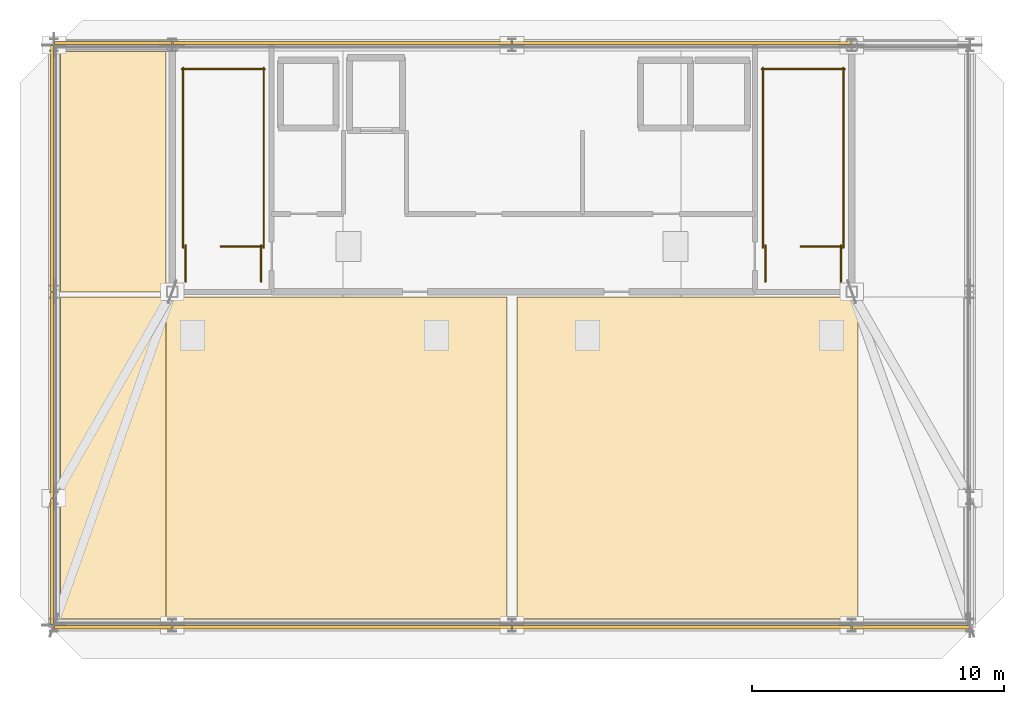
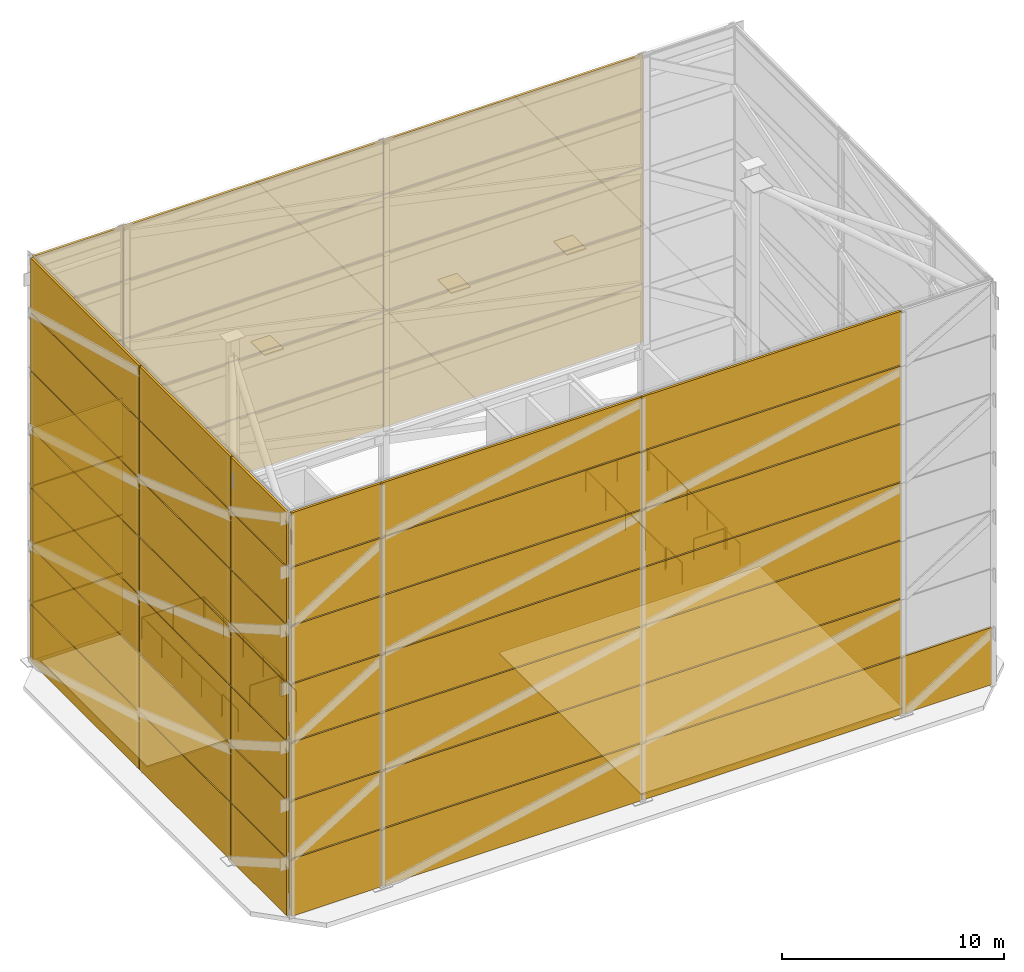
# One storey, part 7 of 8: 60 shading devices, 12 railings, 4 coverings.
"""IFC4 building model written with IfcOpenShell, lengths in metres."""

from ifc_helpers import new_model, si_unit, direction, frame, origin, origin_2d, place, context, subcontext, project, spatial, polyline, rectangle, outline, extrude, material, layer, layer_set, type_object, element, save


model = new_model("IFC4")

# Units and contexts
model_context = context("Model", 3, precision=1e-05, world=origin(), true_north=direction((0.0, 1.0)))
body_context = subcontext(model_context, "Body", "Model", "MODEL_VIEW")
ifc_project = project(units=[si_unit("LENGTHUNIT", "METRE"), si_unit("AREAUNIT", "SQUARE_METRE"), si_unit("VOLUMEUNIT", "CUBIC_METRE"), si_unit("PLANEANGLEUNIT", "RADIAN"), si_unit("MASSUNIT", "GRAM", prefix="KILO")], contexts=[model_context])

# Site, building, storey
site_placement = place(None, origin())
site = spatial("IfcSite", under=ifc_project, at=site_placement, CompositionType="ELEMENT")
building_placement = place(site_placement, origin())
building = spatial("IfcBuilding", under=site, at=building_placement, Name="Haevon Station Towers", CompositionType="ELEMENT")
storey_placement = place(building_placement, frame((0.0, 0.0, 270.0)))
storey = spatial("IfcBuildingStorey", under=building, at=storey_placement, Name="Roof", CompositionType="ELEMENT", Elevation=270.0)

# Coverings
ifc_material_1 = material(Name="SBS modified bitumen roofing", Category="concrete")
ifc_layer_1 = layer(ifc_material_1, 0.080078125)
ifc_layer_set_1 = layer_set([ifc_layer_1], Name="SBS modified bitumen roofing")
covering_type = type_object("IfcCoveringType", Name="COV-ROOF80", PredefinedType="ROOFING", material=ifc_layer_set_1)
covering_1_placement = place(storey_placement, origin())
element("IfcCovering", 1, at=covering_1_placement, inside=storey, type_object=covering_type, Name="Roof Waterproofing Membrane 01", PredefinedType="ROOFING", context=body_context, shape_type="SweptSolid", body=[
    extrude(outline(polyline([(19.550048828125, 25.199951171875), (23.75, 25.199951171875), (23.75, 38.0), (19.550048828125, 38.0), (19.550048828125, 25.199951171875)])), origin(), (0.0, 0.0, 1.0), 0.080078125),
])
covering_2_placement = place(storey_placement, origin())
element("IfcCovering", 2, at=covering_2_placement, inside=storey, type_object=covering_type, Name="Roof Waterproofing Membrane 02", PredefinedType="ROOFING", context=body_context, shape_type="SweptSolid", body=[
    extrude(outline(polyline([(23.75, 25.199951171875), (37.300048828125, 25.199951171875), (37.300048828125, 38.0), (23.75, 38.0), (23.75, 25.199951171875)])), origin(), (0.0, 0.0, 1.0), 0.080078125),
])
covering_3_placement = place(storey_placement, origin())
element("IfcCovering", 3, at=covering_3_placement, inside=storey, type_object=covering_type, Name="Roof Waterproofing Membrane 03", PredefinedType="ROOFING", context=body_context, shape_type="SweptSolid", body=[
    extrude(outline(polyline([(37.699951171875, 25.199951171875), (51.25, 25.199951171875), (51.25, 38.0), (37.699951171875, 38.0), (37.699951171875, 25.199951171875)])), origin(), (0.0, 0.0, 1.0), 0.080078125),
])
covering_4_placement = place(storey_placement, origin())
element("IfcCovering", 4, at=covering_4_placement, inside=storey, type_object=covering_type, Name="Roof Waterproofing Membrane 05", PredefinedType="ROOFING", context=body_context, shape_type="SweptSolid", body=[
    extrude(outline(polyline([(19.550048828125, 38.199951171875), (23.75, 38.199951171875), (23.75, 47.75), (19.550048828125, 47.75), (19.550048828125, 38.199951171875)])), origin(), (0.0, 0.0, 1.0), 0.080078125),
])

# Railings
ifc_material_2 = material(Name="Steel S355", Category="steel")
railing_type = type_object("IfcRailingType", Name="GRD-STR1200", PredefinedType="GUARDRAIL", material=ifc_material_2)
railing_1_placement = place(storey_placement, frame((27.580078125, 40.0, 0.0)))
element("IfcRailing", 5, at=railing_1_placement, inside=storey, type_object=railing_type, Name="Roof ST1 Top Well Guard 1", PredefinedType="GUARDRAIL", context=body_context, shape_type="SweptSolid", body=[
    extrude(rectangle(XDim=0.048095703125, YDim=0.048095703125, at=origin_2d()), frame((0.0, 0.0, 1.17578125), z_axis=(-1.0, 0.0, 0.0), x_axis=(0.0, -1.0, 0.0)), (0.0, 0.0, 1.0), 1.650146484375),
    extrude(rectangle(XDim=0.0419921875, YDim=0.0419921875, at=origin_2d()), origin(), (0.0, 0.0, 1.0), 1.15185546875),
    extrude(rectangle(XDim=0.0419921875, YDim=0.0419921875, at=origin_2d()), frame((-1.650146484375, 0.0, 0.0)), (0.0, 0.0, 1.0), 1.15185546875),
])
for number, where, name in (
    (6, (27.6298828125, 39.949951171875, 0.0), "Roof ST1 Top Well Guard 2"),
    (7, (24.429931640625, 39.949951171875, 0.0), "Roof ST1 Top Well Guard 3"),
):
    element("IfcRailing", number, at=place(storey_placement, frame(where)), inside=storey, type_object=railing_type, Name=name, PredefinedType="GUARDRAIL", context=body_context, shape_type="SweptSolid", body=[
        extrude(rectangle(XDim=0.048095703125, YDim=0.048095703125, at=origin_2d()), frame((0.0, 0.0, 1.17578125), z_axis=(0.0, 1.0, 0.0), x_axis=(-1.0, 0.0, 0.0)), (0.0, 0.0, 1.0), 7.150146484375),
        extrude(rectangle(XDim=0.0419921875, YDim=0.0419921875, at=origin_2d()), origin(), (0.0, 0.0, 1.0), 1.15185546875),
        extrude(rectangle(XDim=0.0419921875, YDim=0.0419921875, at=origin_2d()), frame((0.0, 1.78759765625, 0.0)), (0.0, 0.0, 1.0), 1.15185546875),
        extrude(rectangle(XDim=0.0419921875, YDim=0.0419921875, at=origin_2d()), frame((0.0, 3.5751953125, 0.0)), (0.0, 0.0, 1.0), 1.15185546875),
        extrude(rectangle(XDim=0.0419921875, YDim=0.0419921875, at=origin_2d()), frame((0.0, 5.362548828125, 0.0)), (0.0, 0.0, 1.0), 1.15185546875),
        extrude(rectangle(XDim=0.0419921875, YDim=0.0419921875, at=origin_2d()), frame((0.0, 7.150146484375, 0.0)), (0.0, 0.0, 1.0), 1.15185546875),
    ])
railing_2_placement = place(storey_placement, frame((27.679931640625, 47.050048828125, 0.0)))
element("IfcRailing", 8, at=railing_2_placement, inside=storey, type_object=railing_type, Name="Roof ST1 Top Well Guard 4", PredefinedType="GUARDRAIL", context=body_context, shape_type="SweptSolid", body=[
    extrude(rectangle(XDim=0.048095703125, YDim=0.048095703125, at=origin_2d()), frame((0.0, 0.0, 1.17578125), z_axis=(-1.0, 0.0, 0.0), x_axis=(0.0, -1.0, 0.0)), (0.0, 0.0, 1.0), 3.300048828125),
    extrude(rectangle(XDim=0.0419921875, YDim=0.0419921875, at=origin_2d()), origin(), (0.0, 0.0, 1.0), 1.15185546875),
    extrude(rectangle(XDim=0.0419921875, YDim=0.0419921875, at=origin_2d()), frame((-1.64990234375, 0.0, 0.0)), (0.0, 0.0, 1.0), 1.15185546875),
    extrude(rectangle(XDim=0.0419921875, YDim=0.0419921875, at=origin_2d()), frame((-3.300048828125, 0.0, 0.0)), (0.0, 0.0, 1.0), 1.15185546875),
])
for number, where, name in (
    (9, (27.530029296875, 38.60009765625, 0.0), "Roof ST1 Top Well Guard 5"),
    (10, (24.530029296875, 38.60009765625, 0.0), "Roof ST1 Top Well Guard 6"),
):
    element("IfcRailing", number, at=place(storey_placement, frame(where)), inside=storey, type_object=railing_type, Name=name, PredefinedType="GUARDRAIL", context=body_context, shape_type="SweptSolid", body=[
        extrude(rectangle(XDim=0.048095703125, YDim=0.048095703125, at=origin_2d()), frame((0.0, 0.0, 1.17578125), z_axis=(0.0, 1.0, 0.0), x_axis=(-1.0, 0.0, 0.0)), (0.0, 0.0, 1.0), 1.449951171875),
        extrude(rectangle(XDim=0.0419921875, YDim=0.0419921875, at=origin_2d()), origin(), (0.0, 0.0, 1.0), 1.15185546875),
        extrude(rectangle(XDim=0.0419921875, YDim=0.0419921875, at=origin_2d()), frame((0.0, 1.449951171875, 0.0)), (0.0, 0.0, 1.0), 1.15185546875),
    ])
railing_3_placement = place(storey_placement, frame((50.6201171875, 40.0, 0.0)))
element("IfcRailing", 11, at=railing_3_placement, inside=storey, type_object=railing_type, Name="Roof ST2 Top Well Guard 1", PredefinedType="GUARDRAIL", context=body_context, shape_type="SweptSolid", body=[
    extrude(rectangle(XDim=0.048095703125, YDim=0.048095703125, at=origin_2d()), frame((0.0, 0.0, 1.17578125), z_axis=(-1.0, 0.0, 0.0), x_axis=(0.0, -1.0, 0.0)), (0.0, 0.0, 1.0), 1.650146484375),
    extrude(rectangle(XDim=0.0419921875, YDim=0.0419921875, at=origin_2d()), origin(), (0.0, 0.0, 1.0), 1.15185546875),
    extrude(rectangle(XDim=0.0419921875, YDim=0.0419921875, at=origin_2d()), frame((-1.650146484375, 0.0, 0.0)), (0.0, 0.0, 1.0), 1.15185546875),
])
for number, where, name in (
    (12, (50.669921875, 39.949951171875, 0.0), "Roof ST2 Top Well Guard 2"),
    (13, (47.469970703125, 39.949951171875, 0.0), "Roof ST2 Top Well Guard 3"),
):
    element("IfcRailing", number, at=place(storey_placement, frame(where)), inside=storey, type_object=railing_type, Name=name, PredefinedType="GUARDRAIL", context=body_context, shape_type="SweptSolid", body=[
        extrude(rectangle(XDim=0.048095703125, YDim=0.048095703125, at=origin_2d()), frame((0.0, 0.0, 1.17578125), z_axis=(0.0, 1.0, 0.0), x_axis=(-1.0, 0.0, 0.0)), (0.0, 0.0, 1.0), 7.150146484375),
        extrude(rectangle(XDim=0.0419921875, YDim=0.0419921875, at=origin_2d()), origin(), (0.0, 0.0, 1.0), 1.15185546875),
        extrude(rectangle(XDim=0.0419921875, YDim=0.0419921875, at=origin_2d()), frame((0.0, 1.78759765625, 0.0)), (0.0, 0.0, 1.0), 1.15185546875),
        extrude(rectangle(XDim=0.0419921875, YDim=0.0419921875, at=origin_2d()), frame((0.0, 3.5751953125, 0.0)), (0.0, 0.0, 1.0), 1.15185546875),
        extrude(rectangle(XDim=0.0419921875, YDim=0.0419921875, at=origin_2d()), frame((0.0, 5.362548828125, 0.0)), (0.0, 0.0, 1.0), 1.15185546875),
        extrude(rectangle(XDim=0.0419921875, YDim=0.0419921875, at=origin_2d()), frame((0.0, 7.150146484375, 0.0)), (0.0, 0.0, 1.0), 1.15185546875),
    ])
railing_4_placement = place(storey_placement, frame((50.719970703125, 47.050048828125, 0.0)))
element("IfcRailing", 14, at=railing_4_placement, inside=storey, type_object=railing_type, Name="Roof ST2 Top Well Guard 4", PredefinedType="GUARDRAIL", context=body_context, shape_type="SweptSolid", body=[
    extrude(rectangle(XDim=0.048095703125, YDim=0.048095703125, at=origin_2d()), frame((0.0, 0.0, 1.17578125), z_axis=(-1.0, 0.0, 0.0), x_axis=(0.0, -1.0, 0.0)), (0.0, 0.0, 1.0), 3.300048828125),
    extrude(rectangle(XDim=0.0419921875, YDim=0.0419921875, at=origin_2d()), origin(), (0.0, 0.0, 1.0), 1.15185546875),
    extrude(rectangle(XDim=0.0419921875, YDim=0.0419921875, at=origin_2d()), frame((-1.64990234375, 0.0, 0.0)), (0.0, 0.0, 1.0), 1.15185546875),
    extrude(rectangle(XDim=0.0419921875, YDim=0.0419921875, at=origin_2d()), frame((-3.300048828125, 0.0, 0.0)), (0.0, 0.0, 1.0), 1.15185546875),
])
for number, where, name in (
    (15, (50.570068359375, 38.60009765625, 0.0), "Roof ST2 Top Well Guard 5"),
    (16, (47.570068359375, 38.60009765625, 0.0), "Roof ST2 Top Well Guard 6"),
):
    element("IfcRailing", number, at=place(storey_placement, frame(where)), inside=storey, type_object=railing_type, Name=name, PredefinedType="GUARDRAIL", context=body_context, shape_type="SweptSolid", body=[
        extrude(rectangle(XDim=0.048095703125, YDim=0.048095703125, at=origin_2d()), frame((0.0, 0.0, 1.17578125), z_axis=(0.0, 1.0, 0.0), x_axis=(-1.0, 0.0, 0.0)), (0.0, 0.0, 1.0), 1.449951171875),
        extrude(rectangle(XDim=0.0419921875, YDim=0.0419921875, at=origin_2d()), origin(), (0.0, 0.0, 1.0), 1.15185546875),
        extrude(rectangle(XDim=0.0419921875, YDim=0.0419921875, at=origin_2d()), frame((0.0, 1.449951171875, 0.0)), (0.0, 0.0, 1.0), 1.15185546875),
    ])

# Shading devices
ifc_material_3 = material(Name="Anodised aluminium 6063-T6", Category="aluminium")
ifc_layer_2 = layer(ifc_material_3, 0.1201171875)
ifc_layer_set_2 = layer_set([ifc_layer_2], Name="Anodised aluminium 6063-T6")
shading_device_type = type_object("IfcShadingDeviceType", Name="SHD-CRN-LOUVRE", PredefinedType="JALOUSIE", material=ifc_layer_set_2)
shading_device_1_placement = place(storey_placement, frame((21.64990234375, 24.8701171875, 0.0302734375), z_axis=(0.0, 0.0, 1.0), x_axis=(1.0, 0.0, 0.0)))
element("IfcShadingDevice", 17, at=shading_device_1_placement, inside=storey, type_object=shading_device_type, Name="Crown Acoustic Louvre Screen T1-01", PredefinedType="JALOUSIE", context=body_context, shape_type="SweptSolid", body=[
    extrude(rectangle(XDim=4.659912109375, YDim=0.1201171875, at=origin_2d()), origin(), (0.0, 0.0, 1.0), 3.139892578125),
])
for number, where, z_axis, x_axis, name in (
    (18, (30.75, 24.8701171875, 0.0302734375), (0.0, 0.0, 1.0), (1.0, 0.0, 0.0), "Crown Acoustic Louvre Screen T1-02"),
    (19, (44.25, 24.8701171875, 0.0302734375), (0.0, 0.0, 1.0), (1.0, 0.0, 0.0), "Crown Acoustic Louvre Screen T1-03"),
):
    element("IfcShadingDevice", number, at=place(storey_placement, frame(where, z_axis=z_axis, x_axis=x_axis)), inside=storey, type_object=shading_device_type, Name=name, PredefinedType="JALOUSIE", context=body_context, shape_type="SweptSolid", body=[
        extrude(rectangle(XDim=13.4599609375, YDim=0.1201171875, at=origin_2d()), origin(), (0.0, 0.0, 1.0), 3.139892578125),
    ])
for number, where, z_axis, x_axis, name in (
    (20, (53.35009765625, 24.8701171875, 0.0302734375), (0.0, 0.0, 1.0), (1.0, 0.0, 0.0), "Crown Acoustic Louvre Screen T1-04"),
    (21, (21.64990234375, 48.080078125, 0.0302734375), (0.0, 0.0, 1.0), (-1.0, 0.0, 0.0), "Crown Acoustic Louvre Screen T1-11"),
):
    element("IfcShadingDevice", number, at=place(storey_placement, frame(where, z_axis=z_axis, x_axis=x_axis)), inside=storey, type_object=shading_device_type, Name=name, PredefinedType="JALOUSIE", context=body_context, shape_type="SweptSolid", body=[
        extrude(rectangle(XDim=4.659912109375, YDim=0.1201171875, at=origin_2d()), origin(), (0.0, 0.0, 1.0), 3.139892578125),
    ])
shading_device_2_placement = place(storey_placement, frame((19.219970703125, 43.10009765625, 0.0302734375), z_axis=(0.0, 0.0, 1.0), x_axis=(0.0, -1.0, 0.0)))
element("IfcShadingDevice", 22, at=shading_device_2_placement, inside=storey, type_object=shading_device_type, Name="Crown Acoustic Louvre Screen T1-12", PredefinedType="JALOUSIE", context=body_context, shape_type="SweptSolid", body=[
    extrude(rectangle(XDim=9.760009765625, YDim=0.1201171875, at=origin_2d()), origin(), (0.0, 0.0, 1.0), 3.139892578125),
])
shading_device_3_placement = place(storey_placement, frame((19.219970703125, 34.10009765625, 0.0302734375), z_axis=(0.0, 0.0, 1.0), x_axis=(0.0, -1.0, 0.0)))
element("IfcShadingDevice", 23, at=shading_device_3_placement, inside=storey, type_object=shading_device_type, Name="Crown Acoustic Louvre Screen T1-13", PredefinedType="JALOUSIE", context=body_context, shape_type="SweptSolid", body=[
    extrude(rectangle(XDim=8.159912109375, YDim=0.1201171875, at=origin_2d()), origin(), (0.0, 0.0, 1.0), 3.139892578125),
])
shading_device_4_placement = place(storey_placement, frame((19.219970703125, 27.47509765625, 0.0302734375), z_axis=(0.0, 0.0, 1.0), x_axis=(0.0, -1.0, 0.0)))
element("IfcShadingDevice", 24, at=shading_device_4_placement, inside=storey, type_object=shading_device_type, Name="Crown Acoustic Louvre Screen T1-14", PredefinedType="JALOUSIE", context=body_context, shape_type="SweptSolid", body=[
    extrude(rectangle(XDim=5.010009765625, YDim=0.1201171875, at=origin_2d()), origin(), (0.0, 0.0, 1.0), 3.139892578125),
])
shading_device_5_placement = place(storey_placement, frame((21.64990234375, 24.8701171875, 3.22998046875), z_axis=(0.0, 0.0, 1.0), x_axis=(1.0, 0.0, 0.0)))
element("IfcShadingDevice", 25, at=shading_device_5_placement, inside=storey, type_object=shading_device_type, Name="Crown Acoustic Louvre Screen T2-01", PredefinedType="JALOUSIE", context=body_context, shape_type="SweptSolid", body=[
    extrude(rectangle(XDim=4.659912109375, YDim=0.1201171875, at=origin_2d()), origin(), (0.0, 0.0, 1.0), 3.139892578125),
])
for number, where, z_axis, x_axis, name in (
    (26, (30.75, 24.8701171875, 3.22998046875), (0.0, 0.0, 1.0), (1.0, 0.0, 0.0), "Crown Acoustic Louvre Screen T2-02"),
    (27, (44.25, 24.8701171875, 3.22998046875), (0.0, 0.0, 1.0), (1.0, 0.0, 0.0), "Crown Acoustic Louvre Screen T2-03"),
):
    element("IfcShadingDevice", number, at=place(storey_placement, frame(where, z_axis=z_axis, x_axis=x_axis)), inside=storey, type_object=shading_device_type, Name=name, PredefinedType="JALOUSIE", context=body_context, shape_type="SweptSolid", body=[
        extrude(rectangle(XDim=13.4599609375, YDim=0.1201171875, at=origin_2d()), origin(), (0.0, 0.0, 1.0), 3.139892578125),
    ])
shading_device_6_placement = place(storey_placement, frame((21.64990234375, 48.080078125, 3.22998046875), z_axis=(0.0, 0.0, 1.0), x_axis=(-1.0, 0.0, 0.0)))
element("IfcShadingDevice", 28, at=shading_device_6_placement, inside=storey, type_object=shading_device_type, Name="Crown Acoustic Louvre Screen T2-11", PredefinedType="JALOUSIE", context=body_context, shape_type="SweptSolid", body=[
    extrude(rectangle(XDim=4.659912109375, YDim=0.1201171875, at=origin_2d()), origin(), (0.0, 0.0, 1.0), 3.139892578125),
])
shading_device_7_placement = place(storey_placement, frame((19.219970703125, 43.10009765625, 3.22998046875), z_axis=(0.0, 0.0, 1.0), x_axis=(0.0, -1.0, 0.0)))
element("IfcShadingDevice", 29, at=shading_device_7_placement, inside=storey, type_object=shading_device_type, Name="Crown Acoustic Louvre Screen T2-12", PredefinedType="JALOUSIE", context=body_context, shape_type="SweptSolid", body=[
    extrude(rectangle(XDim=9.760009765625, YDim=0.1201171875, at=origin_2d()), origin(), (0.0, 0.0, 1.0), 3.139892578125),
])
shading_device_8_placement = place(storey_placement, frame((19.219970703125, 34.10009765625, 3.22998046875), z_axis=(0.0, 0.0, 1.0), x_axis=(0.0, -1.0, 0.0)))
element("IfcShadingDevice", 30, at=shading_device_8_placement, inside=storey, type_object=shading_device_type, Name="Crown Acoustic Louvre Screen T2-13", PredefinedType="JALOUSIE", context=body_context, shape_type="SweptSolid", body=[
    extrude(rectangle(XDim=8.159912109375, YDim=0.1201171875, at=origin_2d()), origin(), (0.0, 0.0, 1.0), 3.139892578125),
])
shading_device_9_placement = place(storey_placement, frame((19.219970703125, 27.47509765625, 3.22998046875), z_axis=(0.0, 0.0, 1.0), x_axis=(0.0, -1.0, 0.0)))
element("IfcShadingDevice", 31, at=shading_device_9_placement, inside=storey, type_object=shading_device_type, Name="Crown Acoustic Louvre Screen T2-14", PredefinedType="JALOUSIE", context=body_context, shape_type="SweptSolid", body=[
    extrude(rectangle(XDim=5.010009765625, YDim=0.1201171875, at=origin_2d()), origin(), (0.0, 0.0, 1.0), 3.139892578125),
])
shading_device_10_placement = place(storey_placement, frame((21.64990234375, 24.8701171875, 6.43017578125), z_axis=(0.0, 0.0, 1.0), x_axis=(1.0, 0.0, 0.0)))
element("IfcShadingDevice", 32, at=shading_device_10_placement, inside=storey, type_object=shading_device_type, Name="Crown Acoustic Louvre Screen T3-01", PredefinedType="JALOUSIE", context=body_context, shape_type="SweptSolid", body=[
    extrude(rectangle(XDim=4.659912109375, YDim=0.1201171875, at=origin_2d()), origin(), (0.0, 0.0, 1.0), 3.139892578125),
])
for number, where, z_axis, x_axis, name in (
    (33, (30.75, 24.8701171875, 6.43017578125), (0.0, 0.0, 1.0), (1.0, 0.0, 0.0), "Crown Acoustic Louvre Screen T3-02"),
    (34, (44.25, 24.8701171875, 6.43017578125), (0.0, 0.0, 1.0), (1.0, 0.0, 0.0), "Crown Acoustic Louvre Screen T3-03"),
    (35, (44.25, 48.080078125, 6.43017578125), (0.0, 0.0, 1.0), (-1.0, 0.0, 0.0), "Crown Acoustic Louvre Screen T3-09"),
    (36, (30.75, 48.080078125, 6.43017578125), (0.0, 0.0, 1.0), (-1.0, 0.0, 0.0), "Crown Acoustic Louvre Screen T3-10"),
):
    element("IfcShadingDevice", number, at=place(storey_placement, frame(where, z_axis=z_axis, x_axis=x_axis)), inside=storey, type_object=shading_device_type, Name=name, PredefinedType="JALOUSIE", context=body_context, shape_type="SweptSolid", body=[
        extrude(rectangle(XDim=13.4599609375, YDim=0.1201171875, at=origin_2d()), origin(), (0.0, 0.0, 1.0), 3.139892578125),
    ])
shading_device_11_placement = place(storey_placement, frame((21.64990234375, 48.080078125, 6.43017578125), z_axis=(0.0, 0.0, 1.0), x_axis=(-1.0, 0.0, 0.0)))
element("IfcShadingDevice", 37, at=shading_device_11_placement, inside=storey, type_object=shading_device_type, Name="Crown Acoustic Louvre Screen T3-11", PredefinedType="JALOUSIE", context=body_context, shape_type="SweptSolid", body=[
    extrude(rectangle(XDim=4.659912109375, YDim=0.1201171875, at=origin_2d()), origin(), (0.0, 0.0, 1.0), 3.139892578125),
])
shading_device_12_placement = place(storey_placement, frame((19.219970703125, 43.10009765625, 6.43017578125), z_axis=(0.0, 0.0, 1.0), x_axis=(0.0, -1.0, 0.0)))
element("IfcShadingDevice", 38, at=shading_device_12_placement, inside=storey, type_object=shading_device_type, Name="Crown Acoustic Louvre Screen T3-12", PredefinedType="JALOUSIE", context=body_context, shape_type="SweptSolid", body=[
    extrude(rectangle(XDim=9.760009765625, YDim=0.1201171875, at=origin_2d()), origin(), (0.0, 0.0, 1.0), 3.139892578125),
])
shading_device_13_placement = place(storey_placement, frame((19.219970703125, 34.10009765625, 6.43017578125), z_axis=(0.0, 0.0, 1.0), x_axis=(0.0, -1.0, 0.0)))
element("IfcShadingDevice", 39, at=shading_device_13_placement, inside=storey, type_object=shading_device_type, Name="Crown Acoustic Louvre Screen T3-13", PredefinedType="JALOUSIE", context=body_context, shape_type="SweptSolid", body=[
    extrude(rectangle(XDim=8.159912109375, YDim=0.1201171875, at=origin_2d()), origin(), (0.0, 0.0, 1.0), 3.139892578125),
])
shading_device_14_placement = place(storey_placement, frame((19.219970703125, 27.47509765625, 6.43017578125), z_axis=(0.0, 0.0, 1.0), x_axis=(0.0, -1.0, 0.0)))
element("IfcShadingDevice", 40, at=shading_device_14_placement, inside=storey, type_object=shading_device_type, Name="Crown Acoustic Louvre Screen T3-14", PredefinedType="JALOUSIE", context=body_context, shape_type="SweptSolid", body=[
    extrude(rectangle(XDim=5.010009765625, YDim=0.1201171875, at=origin_2d()), origin(), (0.0, 0.0, 1.0), 3.139892578125),
])
shading_device_15_placement = place(storey_placement, frame((21.64990234375, 24.8701171875, 9.6298828125), z_axis=(0.0, 0.0, 1.0), x_axis=(1.0, 0.0, 0.0)))
element("IfcShadingDevice", 41, at=shading_device_15_placement, inside=storey, type_object=shading_device_type, Name="Crown Acoustic Louvre Screen T4-01", PredefinedType="JALOUSIE", context=body_context, shape_type="SweptSolid", body=[
    extrude(rectangle(XDim=4.659912109375, YDim=0.1201171875, at=origin_2d()), origin(), (0.0, 0.0, 1.0), 3.139892578125),
])
for number, where, z_axis, x_axis, name in (
    (42, (30.75, 24.8701171875, 9.6298828125), (0.0, 0.0, 1.0), (1.0, 0.0, 0.0), "Crown Acoustic Louvre Screen T4-02"),
    (43, (44.25, 24.8701171875, 9.6298828125), (0.0, 0.0, 1.0), (1.0, 0.0, 0.0), "Crown Acoustic Louvre Screen T4-03"),
    (44, (44.25, 48.080078125, 9.6298828125), (0.0, 0.0, 1.0), (-1.0, 0.0, 0.0), "Crown Acoustic Louvre Screen T4-09"),
    (45, (30.75, 48.080078125, 9.6298828125), (0.0, 0.0, 1.0), (-1.0, 0.0, 0.0), "Crown Acoustic Louvre Screen T4-10"),
):
    element("IfcShadingDevice", number, at=place(storey_placement, frame(where, z_axis=z_axis, x_axis=x_axis)), inside=storey, type_object=shading_device_type, Name=name, PredefinedType="JALOUSIE", context=body_context, shape_type="SweptSolid", body=[
        extrude(rectangle(XDim=13.4599609375, YDim=0.1201171875, at=origin_2d()), origin(), (0.0, 0.0, 1.0), 3.139892578125),
    ])
shading_device_16_placement = place(storey_placement, frame((21.64990234375, 48.080078125, 9.6298828125), z_axis=(0.0, 0.0, 1.0), x_axis=(-1.0, 0.0, 0.0)))
element("IfcShadingDevice", 46, at=shading_device_16_placement, inside=storey, type_object=shading_device_type, Name="Crown Acoustic Louvre Screen T4-11", PredefinedType="JALOUSIE", context=body_context, shape_type="SweptSolid", body=[
    extrude(rectangle(XDim=4.659912109375, YDim=0.1201171875, at=origin_2d()), origin(), (0.0, 0.0, 1.0), 3.139892578125),
])
shading_device_17_placement = place(storey_placement, frame((19.219970703125, 43.10009765625, 9.6298828125), z_axis=(0.0, 0.0, 1.0), x_axis=(0.0, -1.0, 0.0)))
element("IfcShadingDevice", 47, at=shading_device_17_placement, inside=storey, type_object=shading_device_type, Name="Crown Acoustic Louvre Screen T4-12", PredefinedType="JALOUSIE", context=body_context, shape_type="SweptSolid", body=[
    extrude(rectangle(XDim=9.760009765625, YDim=0.1201171875, at=origin_2d()), origin(), (0.0, 0.0, 1.0), 3.139892578125),
])
shading_device_18_placement = place(storey_placement, frame((19.219970703125, 34.10009765625, 9.6298828125), z_axis=(0.0, 0.0, 1.0), x_axis=(0.0, -1.0, 0.0)))
element("IfcShadingDevice", 48, at=shading_device_18_placement, inside=storey, type_object=shading_device_type, Name="Crown Acoustic Louvre Screen T4-13", PredefinedType="JALOUSIE", context=body_context, shape_type="SweptSolid", body=[
    extrude(rectangle(XDim=8.159912109375, YDim=0.1201171875, at=origin_2d()), origin(), (0.0, 0.0, 1.0), 3.139892578125),
])
shading_device_19_placement = place(storey_placement, frame((19.219970703125, 27.47509765625, 9.6298828125), z_axis=(0.0, 0.0, 1.0), x_axis=(0.0, -1.0, 0.0)))
element("IfcShadingDevice", 49, at=shading_device_19_placement, inside=storey, type_object=shading_device_type, Name="Crown Acoustic Louvre Screen T4-14", PredefinedType="JALOUSIE", context=body_context, shape_type="SweptSolid", body=[
    extrude(rectangle(XDim=5.010009765625, YDim=0.1201171875, at=origin_2d()), origin(), (0.0, 0.0, 1.0), 3.139892578125),
])
shading_device_20_placement = place(storey_placement, frame((21.64990234375, 24.8701171875, 12.830078125), z_axis=(0.0, 0.0, 1.0), x_axis=(1.0, 0.0, 0.0)))
element("IfcShadingDevice", 50, at=shading_device_20_placement, inside=storey, type_object=shading_device_type, Name="Crown Acoustic Louvre Screen T5-01", PredefinedType="JALOUSIE", context=body_context, shape_type="SweptSolid", body=[
    extrude(rectangle(XDim=4.659912109375, YDim=0.1201171875, at=origin_2d()), origin(), (0.0, 0.0, 1.0), 3.139892578125),
])
for number, where, z_axis, x_axis, name in (
    (51, (30.75, 24.8701171875, 12.830078125), (0.0, 0.0, 1.0), (1.0, 0.0, 0.0), "Crown Acoustic Louvre Screen T5-02"),
    (52, (44.25, 24.8701171875, 12.830078125), (0.0, 0.0, 1.0), (1.0, 0.0, 0.0), "Crown Acoustic Louvre Screen T5-03"),
    (53, (44.25, 48.080078125, 12.830078125), (0.0, 0.0, 1.0), (-1.0, 0.0, 0.0), "Crown Acoustic Louvre Screen T5-09"),
    (54, (30.75, 48.080078125, 12.830078125), (0.0, 0.0, 1.0), (-1.0, 0.0, 0.0), "Crown Acoustic Louvre Screen T5-10"),
):
    element("IfcShadingDevice", number, at=place(storey_placement, frame(where, z_axis=z_axis, x_axis=x_axis)), inside=storey, type_object=shading_device_type, Name=name, PredefinedType="JALOUSIE", context=body_context, shape_type="SweptSolid", body=[
        extrude(rectangle(XDim=13.4599609375, YDim=0.1201171875, at=origin_2d()), origin(), (0.0, 0.0, 1.0), 3.139892578125),
    ])
shading_device_21_placement = place(storey_placement, frame((21.64990234375, 48.080078125, 12.830078125), z_axis=(0.0, 0.0, 1.0), x_axis=(-1.0, 0.0, 0.0)))
element("IfcShadingDevice", 55, at=shading_device_21_placement, inside=storey, type_object=shading_device_type, Name="Crown Acoustic Louvre Screen T5-11", PredefinedType="JALOUSIE", context=body_context, shape_type="SweptSolid", body=[
    extrude(rectangle(XDim=4.659912109375, YDim=0.1201171875, at=origin_2d()), origin(), (0.0, 0.0, 1.0), 3.139892578125),
])
shading_device_22_placement = place(storey_placement, frame((19.219970703125, 43.10009765625, 12.830078125), z_axis=(0.0, 0.0, 1.0), x_axis=(0.0, -1.0, 0.0)))
element("IfcShadingDevice", 56, at=shading_device_22_placement, inside=storey, type_object=shading_device_type, Name="Crown Acoustic Louvre Screen T5-12", PredefinedType="JALOUSIE", context=body_context, shape_type="SweptSolid", body=[
    extrude(rectangle(XDim=9.760009765625, YDim=0.1201171875, at=origin_2d()), origin(), (0.0, 0.0, 1.0), 3.139892578125),
])
shading_device_23_placement = place(storey_placement, frame((19.219970703125, 34.10009765625, 12.830078125), z_axis=(0.0, 0.0, 1.0), x_axis=(0.0, -1.0, 0.0)))
element("IfcShadingDevice", 57, at=shading_device_23_placement, inside=storey, type_object=shading_device_type, Name="Crown Acoustic Louvre Screen T5-13", PredefinedType="JALOUSIE", context=body_context, shape_type="SweptSolid", body=[
    extrude(rectangle(XDim=8.159912109375, YDim=0.1201171875, at=origin_2d()), origin(), (0.0, 0.0, 1.0), 3.139892578125),
])
shading_device_24_placement = place(storey_placement, frame((19.219970703125, 27.47509765625, 12.830078125), z_axis=(0.0, 0.0, 1.0), x_axis=(0.0, -1.0, 0.0)))
element("IfcShadingDevice", 58, at=shading_device_24_placement, inside=storey, type_object=shading_device_type, Name="Crown Acoustic Louvre Screen T5-14", PredefinedType="JALOUSIE", context=body_context, shape_type="SweptSolid", body=[
    extrude(rectangle(XDim=5.010009765625, YDim=0.1201171875, at=origin_2d()), origin(), (0.0, 0.0, 1.0), 3.139892578125),
])
shading_device_25_placement = place(storey_placement, frame((21.64990234375, 24.8701171875, 16.0302734375), z_axis=(0.0, 0.0, 1.0), x_axis=(1.0, 0.0, 0.0)))
element("IfcShadingDevice", 59, at=shading_device_25_placement, inside=storey, type_object=shading_device_type, Name="Crown Acoustic Louvre Screen T6-01", PredefinedType="JALOUSIE", context=body_context, shape_type="SweptSolid", body=[
    extrude(rectangle(XDim=4.659912109375, YDim=0.1201171875, at=origin_2d()), origin(), (0.0, 0.0, 1.0), 3.139892578125),
])
for number, where, z_axis, x_axis, name in (
    (60, (30.75, 24.8701171875, 16.0302734375), (0.0, 0.0, 1.0), (1.0, 0.0, 0.0), "Crown Acoustic Louvre Screen T6-02"),
    (61, (44.25, 24.8701171875, 16.0302734375), (0.0, 0.0, 1.0), (1.0, 0.0, 0.0), "Crown Acoustic Louvre Screen T6-03"),
    (62, (44.25, 48.080078125, 16.0302734375), (0.0, 0.0, 1.0), (-1.0, 0.0, 0.0), "Crown Acoustic Louvre Screen T6-09"),
    (63, (30.75, 48.080078125, 16.0302734375), (0.0, 0.0, 1.0), (-1.0, 0.0, 0.0), "Crown Acoustic Louvre Screen T6-10"),
):
    element("IfcShadingDevice", number, at=place(storey_placement, frame(where, z_axis=z_axis, x_axis=x_axis)), inside=storey, type_object=shading_device_type, Name=name, PredefinedType="JALOUSIE", context=body_context, shape_type="SweptSolid", body=[
        extrude(rectangle(XDim=13.4599609375, YDim=0.1201171875, at=origin_2d()), origin(), (0.0, 0.0, 1.0), 3.139892578125),
    ])
shading_device_26_placement = place(storey_placement, frame((21.64990234375, 48.080078125, 16.0302734375), z_axis=(0.0, 0.0, 1.0), x_axis=(-1.0, 0.0, 0.0)))
element("IfcShadingDevice", 64, at=shading_device_26_placement, inside=storey, type_object=shading_device_type, Name="Crown Acoustic Louvre Screen T6-11", PredefinedType="JALOUSIE", context=body_context, shape_type="SweptSolid", body=[
    extrude(rectangle(XDim=4.659912109375, YDim=0.1201171875, at=origin_2d()), origin(), (0.0, 0.0, 1.0), 3.139892578125),
])
shading_device_27_placement = place(storey_placement, frame((19.219970703125, 43.10009765625, 16.0302734375), z_axis=(0.0, 0.0, 1.0), x_axis=(0.0, -1.0, 0.0)))
element("IfcShadingDevice", 65, at=shading_device_27_placement, inside=storey, type_object=shading_device_type, Name="Crown Acoustic Louvre Screen T6-12", PredefinedType="JALOUSIE", context=body_context, shape_type="SweptSolid", body=[
    extrude(rectangle(XDim=9.760009765625, YDim=0.1201171875, at=origin_2d()), origin(), (0.0, 0.0, 1.0), 3.139892578125),
])
shading_device_28_placement = place(storey_placement, frame((19.219970703125, 34.10009765625, 16.0302734375), z_axis=(0.0, 0.0, 1.0), x_axis=(0.0, -1.0, 0.0)))
element("IfcShadingDevice", 66, at=shading_device_28_placement, inside=storey, type_object=shading_device_type, Name="Crown Acoustic Louvre Screen T6-13", PredefinedType="JALOUSIE", context=body_context, shape_type="SweptSolid", body=[
    extrude(rectangle(XDim=8.159912109375, YDim=0.1201171875, at=origin_2d()), origin(), (0.0, 0.0, 1.0), 3.139892578125),
])
shading_device_29_placement = place(storey_placement, frame((19.219970703125, 27.47509765625, 16.0302734375), z_axis=(0.0, 0.0, 1.0), x_axis=(0.0, -1.0, 0.0)))
element("IfcShadingDevice", 67, at=shading_device_29_placement, inside=storey, type_object=shading_device_type, Name="Crown Acoustic Louvre Screen T6-14", PredefinedType="JALOUSIE", context=body_context, shape_type="SweptSolid", body=[
    extrude(rectangle(XDim=5.010009765625, YDim=0.1201171875, at=origin_2d()), origin(), (0.0, 0.0, 1.0), 3.139892578125),
])
shading_device_30_placement = place(storey_placement, frame((21.64990234375, 24.8701171875, 19.22998046875), z_axis=(0.0, 0.0, 1.0), x_axis=(1.0, 0.0, 0.0)))
element("IfcShadingDevice", 68, at=shading_device_30_placement, inside=storey, type_object=shading_device_type, Name="Crown Acoustic Louvre Screen T7-01", PredefinedType="JALOUSIE", context=body_context, shape_type="SweptSolid", body=[
    extrude(rectangle(XDim=4.659912109375, YDim=0.1201171875, at=origin_2d()), origin(), (0.0, 0.0, 1.0), 2.93994140625),
])
for number, where, z_axis, x_axis, name in (
    (69, (30.75, 24.8701171875, 19.22998046875), (0.0, 0.0, 1.0), (1.0, 0.0, 0.0), "Crown Acoustic Louvre Screen T7-02"),
    (70, (44.25, 24.8701171875, 19.22998046875), (0.0, 0.0, 1.0), (1.0, 0.0, 0.0), "Crown Acoustic Louvre Screen T7-03"),
    (71, (44.25, 48.080078125, 19.22998046875), (0.0, 0.0, 1.0), (-1.0, 0.0, 0.0), "Crown Acoustic Louvre Screen T7-09"),
    (72, (30.75, 48.080078125, 19.22998046875), (0.0, 0.0, 1.0), (-1.0, 0.0, 0.0), "Crown Acoustic Louvre Screen T7-10"),
):
    element("IfcShadingDevice", number, at=place(storey_placement, frame(where, z_axis=z_axis, x_axis=x_axis)), inside=storey, type_object=shading_device_type, Name=name, PredefinedType="JALOUSIE", context=body_context, shape_type="SweptSolid", body=[
        extrude(rectangle(XDim=13.4599609375, YDim=0.1201171875, at=origin_2d()), origin(), (0.0, 0.0, 1.0), 2.93994140625),
    ])
shading_device_31_placement = place(storey_placement, frame((21.64990234375, 48.080078125, 19.22998046875), z_axis=(0.0, 0.0, 1.0), x_axis=(-1.0, 0.0, 0.0)))
element("IfcShadingDevice", 73, at=shading_device_31_placement, inside=storey, type_object=shading_device_type, Name="Crown Acoustic Louvre Screen T7-11", PredefinedType="JALOUSIE", context=body_context, shape_type="SweptSolid", body=[
    extrude(rectangle(XDim=4.659912109375, YDim=0.1201171875, at=origin_2d()), origin(), (0.0, 0.0, 1.0), 2.93994140625),
])
shading_device_32_placement = place(storey_placement, frame((19.219970703125, 43.10009765625, 19.22998046875), z_axis=(0.0, 0.0, 1.0), x_axis=(0.0, -1.0, 0.0)))
element("IfcShadingDevice", 74, at=shading_device_32_placement, inside=storey, type_object=shading_device_type, Name="Crown Acoustic Louvre Screen T7-12", PredefinedType="JALOUSIE", context=body_context, shape_type="SweptSolid", body=[
    extrude(rectangle(XDim=9.760009765625, YDim=0.1201171875, at=origin_2d()), origin(), (0.0, 0.0, 1.0), 2.93994140625),
])
shading_device_33_placement = place(storey_placement, frame((19.219970703125, 34.10009765625, 19.22998046875), z_axis=(0.0, 0.0, 1.0), x_axis=(0.0, -1.0, 0.0)))
element("IfcShadingDevice", 75, at=shading_device_33_placement, inside=storey, type_object=shading_device_type, Name="Crown Acoustic Louvre Screen T7-13", PredefinedType="JALOUSIE", context=body_context, shape_type="SweptSolid", body=[
    extrude(rectangle(XDim=8.159912109375, YDim=0.1201171875, at=origin_2d()), origin(), (0.0, 0.0, 1.0), 2.93994140625),
])
shading_device_34_placement = place(storey_placement, frame((19.219970703125, 27.47509765625, 19.22998046875), z_axis=(0.0, 0.0, 1.0), x_axis=(0.0, -1.0, 0.0)))
element("IfcShadingDevice", 76, at=shading_device_34_placement, inside=storey, type_object=shading_device_type, Name="Crown Acoustic Louvre Screen T7-14", PredefinedType="JALOUSIE", context=body_context, shape_type="SweptSolid", body=[
    extrude(rectangle(XDim=5.010009765625, YDim=0.1201171875, at=origin_2d()), origin(), (0.0, 0.0, 1.0), 2.93994140625),
])

save(model, "model.ifc")
